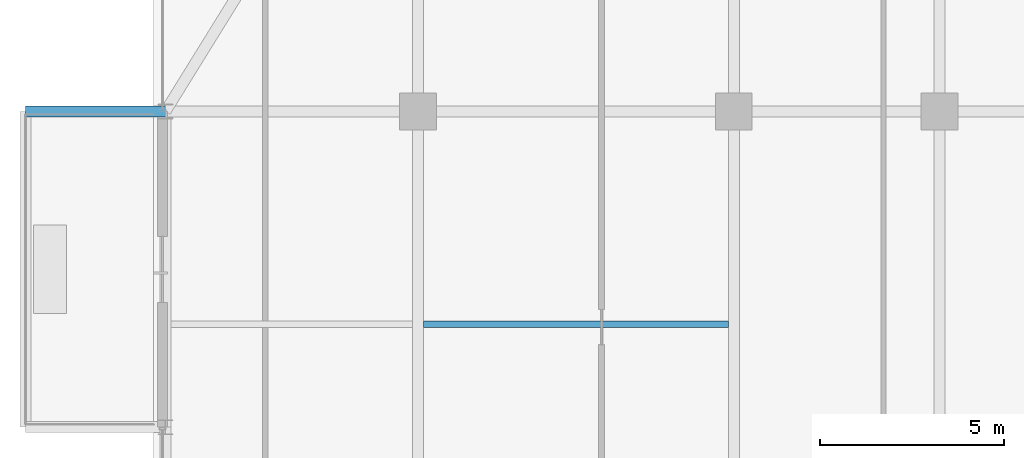
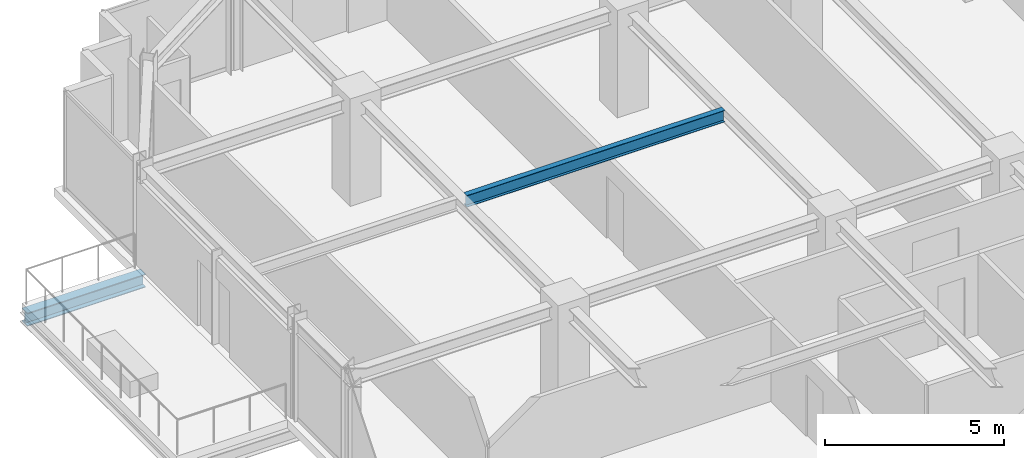
# One storey, part 19 of 36: 2 beams.
"""IFC4 building model written with IfcOpenShell, lengths in metres."""

from ifc_helpers import new_model, si_unit, direction, frame, origin, origin_2d, place, context, subcontext, project, spatial, i_section, extrude, source, transform, mapped, material, material_profile, profile_set, type_object, element, save


model = new_model("IFC4")

# Units and contexts
model_context = context("Model", 3, precision=1e-05, world=origin(), true_north=direction((0.0, 1.0)))
body_context = subcontext(model_context, "Body", "Model", "MODEL_VIEW")
ifc_project = project(units=[si_unit("LENGTHUNIT", "METRE"), si_unit("AREAUNIT", "SQUARE_METRE"), si_unit("VOLUMEUNIT", "CUBIC_METRE"), si_unit("PLANEANGLEUNIT", "RADIAN"), si_unit("MASSUNIT", "GRAM", prefix="KILO")], contexts=[model_context])

# Site, building, storey
site_placement = place(None, origin())
site = spatial("IfcSite", under=ifc_project, at=site_placement, CompositionType="ELEMENT")
building_placement = place(site_placement, origin())
building = spatial("IfcBuilding", under=site, at=building_placement, Name="Nahalor Promenade Grand Hotel", CompositionType="ELEMENT")
storey_placement = place(building_placement, frame((0.0, 0.0, 212.300048828125)))
storey = spatial("IfcBuildingStorey", under=building, at=storey_placement, Name="L54", CompositionType="ELEMENT", Elevation=212.300048828125)

# Beams
ifc_material = material(Name="Steel S355JR", Category="steel")
ifc_material_profile_1 = material_profile(ifc_material, i_section(OverallWidth=0.3, OverallDepth=0.45, WebThickness=0.014, FlangeThickness=0.026, at=origin_2d()), Name="HEB 450")
ifc_profile_set_1 = profile_set([ifc_material_profile_1], Name="Steel S355JR")
beam_type_1 = type_object("IfcBeamType", Name="Beam-Outrigger-HEB450", PredefinedType="BEAM", material=ifc_profile_set_1)
shared_shape_1 = source(origin(), body_context, "Body", "SweptSolid", [
    extrude(i_section(OverallWidth=0.3, OverallDepth=0.45, WebThickness=0.014, FlangeThickness=0.026, at=origin_2d()), origin(), (0.0, 0.0, 1.0), 3.81005859375),
])
beam_1_placement = place(storey_placement, frame((-27.68994140625, 17.0, -0.505126953125), z_axis=(1.0, 0.0, 0.0), x_axis=(0.0, 1.0, 0.0)))
element("IfcBeam", 1, at=beam_1_placement, inside=storey, type_object=beam_type_1, Name="BM-L54-BC-02-2", PredefinedType="BEAM", context=body_context, shape_type="MappedRepresentation", body=[
    mapped(shared_shape_1, transform((0.0, 0.0, 0.0), scale=1.0)),
])
ifc_material_profile_2 = material_profile(ifc_material, i_section(OverallWidth=0.18, OverallDepth=0.4, WebThickness=0.0086, FlangeThickness=0.0135, at=origin_2d()), Name="IPE 400")
ifc_profile_set_2 = profile_set([ifc_material_profile_2], Name="Steel S355JR")
beam_type_2 = type_object("IfcBeamType", Name="Beam-Joist-IPE400", PredefinedType="JOIST", material=ifc_profile_set_2)
shared_shape_2 = source(origin(), body_context, "Body", "SweptSolid", [
    extrude(i_section(OverallWidth=0.18, OverallDepth=0.4, WebThickness=0.0086, FlangeThickness=0.0135, at=origin_2d()), origin(), (0.0, 0.0, 1.0), 8.300048828125),
])
beam_2_placement = place(storey_placement, frame((-16.85009765625, 11.199951171875, 3.2099609375), z_axis=(1.0, 0.0, 0.0), x_axis=(0.0, 1.0, 0.0)))
element("IfcBeam", 2, at=beam_2_placement, inside=storey, type_object=beam_type_2, Name="BM-L54-JSW-1-1", PredefinedType="JOIST", context=body_context, shape_type="MappedRepresentation", body=[
    mapped(shared_shape_2, transform((0.0, 0.0, 0.0), scale=1.0)),
])

save(model, "model.ifc")
